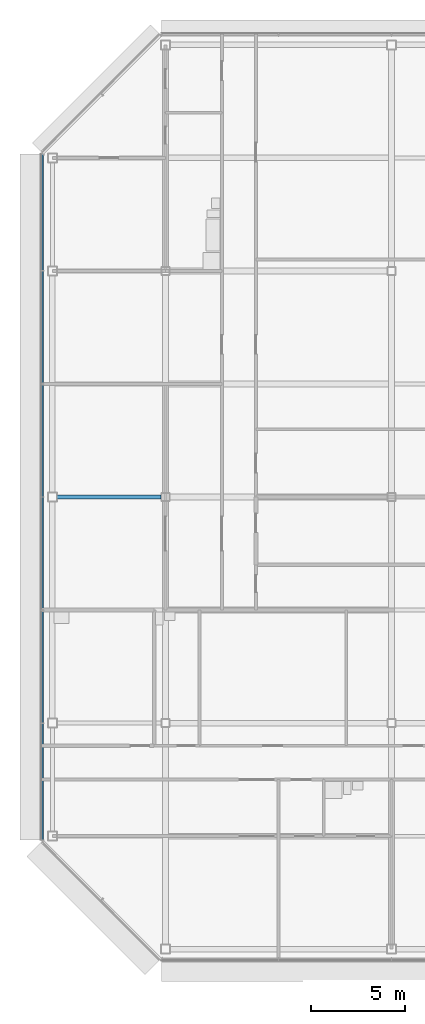
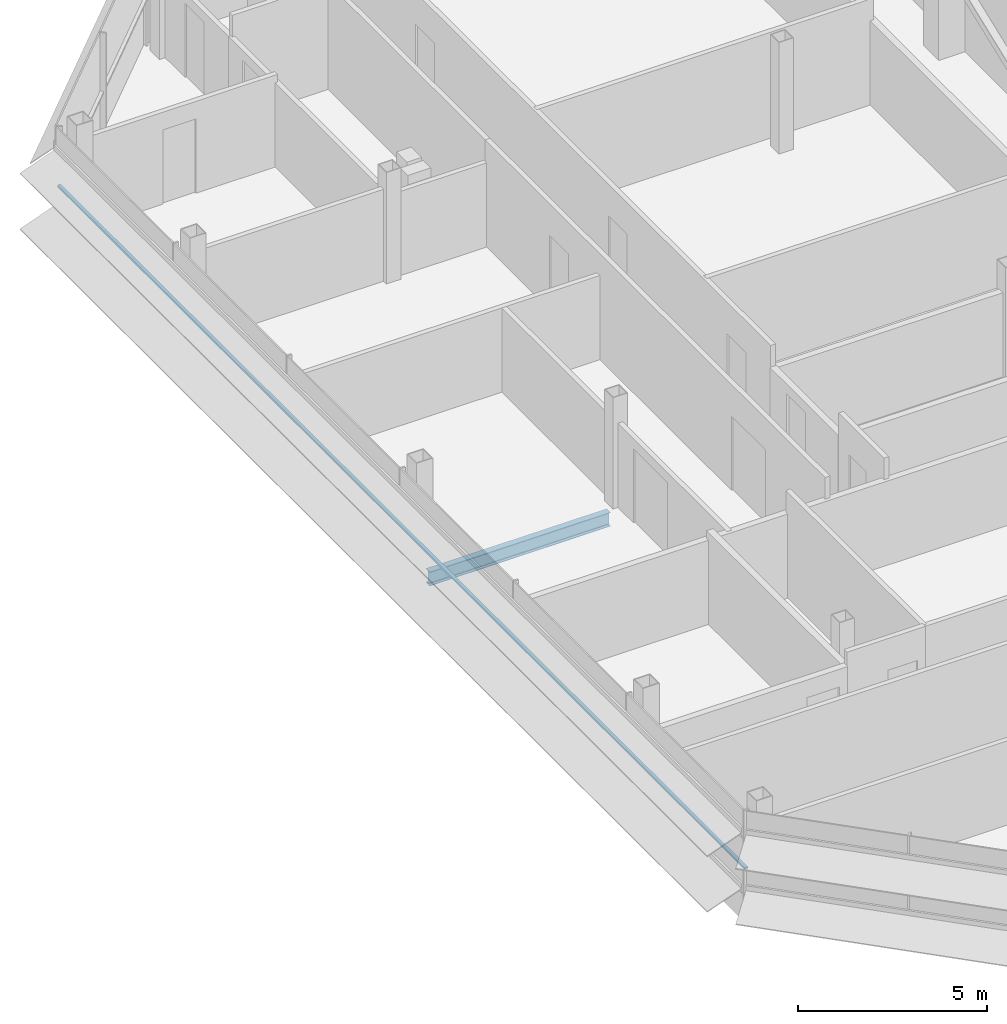
# One storey, part 7 of 28: 1 beam, 1 member, 1 element without a shape of its own.
"""IFC4 building model written with IfcOpenShell, lengths in metres."""

from ifc_helpers import new_model, si_unit, direction, frame, origin, origin_2d, place, context, subcontext, project, spatial, rectangle, i_section, extrude, material, material_profile, profile_set, type_object, element, aggregate, save


model = new_model("IFC4")

# Units and contexts
model_context = context("Model", 3, precision=1e-05, world=origin(), true_north=direction((0.0, 1.0)))
body_context = subcontext(model_context, "Body", "Model", "MODEL_VIEW")
ifc_project = project(units=[si_unit("LENGTHUNIT", "METRE"), si_unit("AREAUNIT", "SQUARE_METRE"), si_unit("VOLUMEUNIT", "CUBIC_METRE"), si_unit("PLANEANGLEUNIT", "RADIAN"), si_unit("MASSUNIT", "GRAM", prefix="KILO")], contexts=[model_context])

# Site, building, storey
site_placement = place(None, origin())
site = spatial("IfcSite", under=ifc_project, at=site_placement, CompositionType="ELEMENT")
building_placement = place(site_placement, origin())
building = spatial("IfcBuilding", under=site, at=building_placement, Name="Sorahane Residences", CompositionType="ELEMENT")
storey_placement = place(building_placement, frame((0.0, 0.0, 305.199951171875)))
storey = spatial("IfcBuildingStorey", under=building, at=storey_placement, Name="L72", CompositionType="ELEMENT", Elevation=305.199951171875)

# Curtain wall, member
ifc_material_1 = material(Name="Dark low-e glass and black anodised aluminium", Category="aluminium")
curtain_wall_type = type_object("IfcCurtainWallType", Name="Curtain wall CW-1 Typical unitised wall", PredefinedType="NOTDEFINED", material=ifc_material_1)
curtain_wall_placement = place(storey_placement, origin())
curtain_wall = element("IfcCurtainWall", 1, at=curtain_wall_placement, inside=storey, type_object=curtain_wall_type, Name="CW-1 curtain wall L72 W1", PredefinedType="NOTDEFINED")
ifc_material_2 = material(Name="Black anodised aluminium", Category="aluminium")
ifc_material_profile_1 = material_profile(ifc_material_2, rectangle(XDim=0.10009765625, YDim=0.06005859375, at=origin_2d()), Name="Curtain wall transom CW-1 black anodised aluminium 60x100")
ifc_profile_set_1 = profile_set([ifc_material_profile_1], Name="Black anodised aluminium")
member_type = type_object("IfcMemberType", Name="Curtain wall transom CW-1 black anodised aluminium 60x100", PredefinedType="USERDEFINED", material=ifc_profile_set_1)
member_placement = place(storey_placement, frame((-18.530029296875, 42.198486328125, 1.5), z_axis=(0.0, -1.0, 0.0), x_axis=(1.0, 0.0, 0.0)))
member = element("IfcMember", 2, at=member_placement, type_object=member_type, Name="CW-1 transom L72 W1", ObjectType="TRANSOM", PredefinedType="USERDEFINED", context=body_context, shape_type="SweptSolid", body=[
    extrude(rectangle(XDim=0.10009765625, YDim=0.06005859375, at=origin_2d()), origin(), (0.0, 0.0, 1.0), 36.39697265625),
])
aggregate(curtain_wall, [member])

# Beam
ifc_material_3 = material(Name="Steel Q355B", Category="steel")
ifc_material_profile_2 = material_profile(ifc_material_3, i_section(OverallWidth=0.199951171875, OverallDepth=0.449951171875, WebThickness=0.009033203125, FlangeThickness=0.013916015625, FilletRadius=0.02001953125, at=origin_2d()), Name="HN 450x200x9x14")
ifc_profile_set_2 = profile_set([ifc_material_profile_2], Name="Steel Q355B")
beam_type = type_object("IfcBeamType", Name="Steel floor beam HN 450x200x9x14 Q355B", PredefinedType="BEAM", material=ifc_profile_set_2)
beam_placement = place(storey_placement, frame((-17.75, 24.0, -0.405029296875), z_axis=(1.0, 0.0, 0.0), x_axis=(0.0, 1.0, 0.0)))
element("IfcBeam", 3, at=beam_placement, inside=storey, type_object=beam_type, Name="Beam L72 011", PredefinedType="BEAM", context=body_context, shape_type="SweptSolid", body=[
    extrude(i_section(OverallWidth=0.199951171875, OverallDepth=0.449951171875, WebThickness=0.009033203125, FlangeThickness=0.013916015625, FilletRadius=0.02001953125, at=origin_2d()), origin(), (0.0, 0.0, 1.0), 5.52490234375),
])

save(model, "model.ifc")
